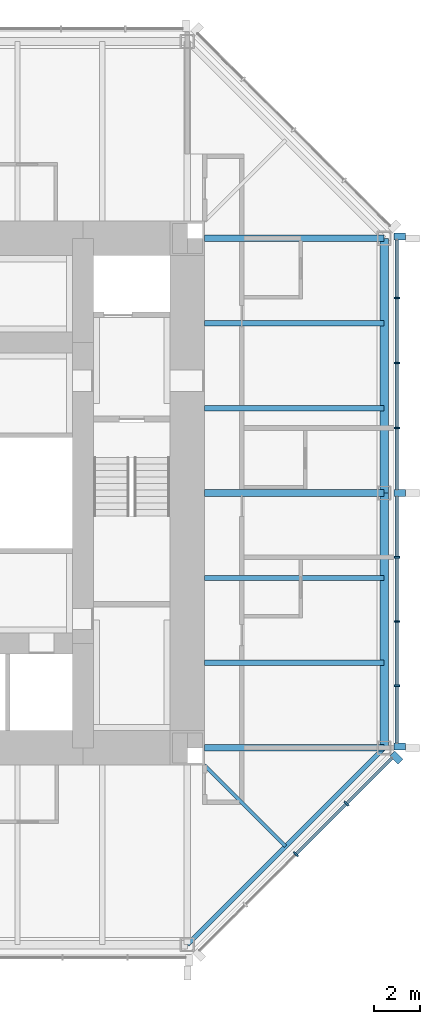
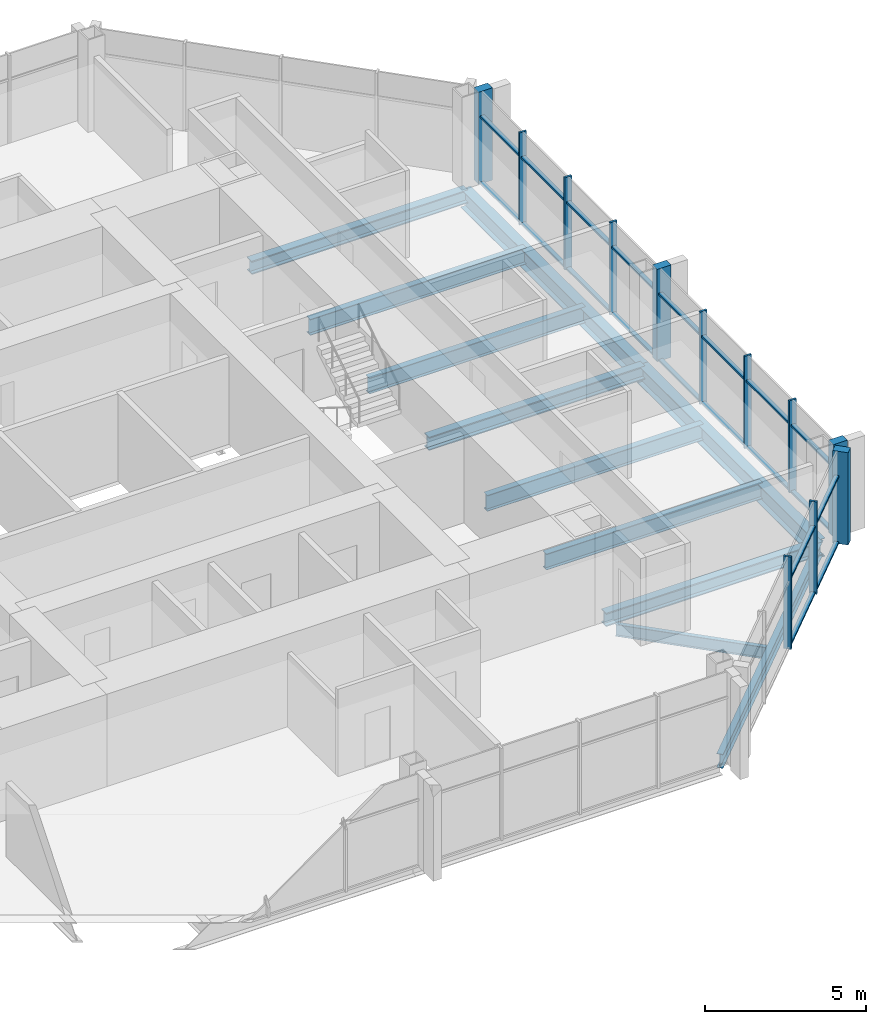
# One storey, part 4 of 11: 32 members, 11 beams, 2 elements without a shape of their own.
"""IFC4 building model written with IfcOpenShell, lengths in metres."""

from ifc_helpers import new_model, si_unit, direction, frame, origin, origin_2d, place, context, subcontext, project, spatial, rectangle, i_section, extrude, material, material_profile, profile_set, type_object, element, aggregate, save


model = new_model("IFC4")

# Units and contexts
model_context = context("Model", 3, precision=1e-05, world=origin(), true_north=direction((0.0, 1.0)))
body_context = subcontext(model_context, "Body", "Model", "MODEL_VIEW")
ifc_project = project(units=[si_unit("LENGTHUNIT", "METRE"), si_unit("AREAUNIT", "SQUARE_METRE"), si_unit("VOLUMEUNIT", "CUBIC_METRE"), si_unit("PLANEANGLEUNIT", "RADIAN"), si_unit("MASSUNIT", "GRAM", prefix="KILO")], contexts=[model_context])

# Site, building, storey
site_placement = place(None, origin())
site = spatial("IfcSite", under=ifc_project, at=site_placement, CompositionType="ELEMENT")
building_placement = place(site_placement, origin())
building = spatial("IfcBuilding", under=site, at=building_placement, Name="Trevanion Tower", CompositionType="ELEMENT")
storey_placement = place(building_placement, frame((0.0, 0.0, 246.699951171875)))
storey = spatial("IfcBuildingStorey", under=building, at=storey_placement, Name="L60", CompositionType="ELEMENT", Elevation=246.699951171875)

# Beams
ifc_material_1 = material(Name="Steel ASTM A992 Grade 50", Category="steel")
ifc_material_profile_1 = material_profile(ifc_material_1, i_section(OverallWidth=0.228271484375, OverallDepth=0.607177734375, WebThickness=0.01123046875, FlangeThickness=0.017333984375, at=origin_2d()), Name="W24X76")
ifc_profile_set_1 = profile_set([ifc_material_profile_1], Name="Steel ASTM A992 Grade 50")
beam_type_1 = type_object("IfcBeamType", Name="B11 W24X76", PredefinedType="BEAM", material=ifc_profile_set_1)
for number, where, z_axis, x_axis, name in (
    (1, (11.75, -7.333251953125, -0.493408203125), (1.0, 0.0, 0.0), (0.0, 1.0, 0.0), "B11 L60"),
    (2, (11.75, -3.666748046875, -0.493408203125), (1.0, 0.0, 0.0), (0.0, 1.0, 0.0), "B11 L60"),
    (3, (11.75, 3.666748046875, -0.493408203125), (1.0, 0.0, 0.0), (0.0, 1.0, 0.0), "B11 L60"),
    (4, (11.75, 7.333251953125, -0.493408203125), (1.0, 0.0, 0.0), (0.0, 1.0, 0.0), "B11 L60"),
):
    element("IfcBeam", number, at=place(storey_placement, frame(where, z_axis=z_axis, x_axis=x_axis)), inside=storey, type_object=beam_type_1, Name=name, PredefinedType="BEAM", context=body_context, shape_type="SweptSolid", body=[
        extrude(i_section(OverallWidth=0.228271484375, OverallDepth=0.607177734375, WebThickness=0.01123046875, FlangeThickness=0.017333984375, at=origin_2d()), origin(), (0.0, 0.0, 1.0), 7.75),
    ])
ifc_material_2 = material(Name="Steel ASTM A992 Grade 50", Category="steel")
ifc_material_profile_2 = material_profile(ifc_material_2, i_section(OverallWidth=0.15234375, OverallDepth=0.449462890625, WebThickness=0.007568359375, FlangeThickness=0.0107421875, at=origin_2d()), Name="W18X35")
ifc_profile_set_2 = profile_set([ifc_material_profile_2], Name="Steel ASTM A992 Grade 50")
beam_type_2 = type_object("IfcBeamType", Name="B12 W18X35", PredefinedType="BEAM", material=ifc_profile_set_2)
beam_1_placement = place(storey_placement, frame((11.75, -11.75, -0.414794921875), z_axis=(0.707106781187, -0.707106781187, 0.0), x_axis=(0.707106781187, 0.707106781187, 0.0)))
element("IfcBeam", 5, at=beam_1_placement, inside=storey, type_object=beam_type_2, Name="B12 L60", PredefinedType="BEAM", context=body_context, shape_type="SweptSolid", body=[
    extrude(i_section(OverallWidth=0.15234375, OverallDepth=0.449462890625, WebThickness=0.007568359375, FlangeThickness=0.0107421875, at=origin_2d()), origin(), (0.0, 0.0, 1.0), 4.94970703125),
])

# Curtain wall, members
ifc_material_3 = material(Name="Aluminium and glass", Category="aluminium")
curtain_wall_type = type_object("IfcCurtainWallType", Name="CW3 curtain wall", PredefinedType="USERDEFINED", material=ifc_material_3)
curtain_wall_1_placement = place(storey_placement, origin())
curtain_wall_1 = element("IfcCurtainWall", 6, at=curtain_wall_1_placement, inside=storey, type_object=curtain_wall_type, Name="CW3 L60 0", ObjectType="UNITISED CURTAIN WALL", PredefinedType="USERDEFINED")
ifc_material_4 = material(Name="Aluminium extrusion, anodised bronze", Category="aluminium")
ifc_material_profile_3 = material_profile(ifc_material_4, rectangle(XDim=0.074951171875, YDim=0.25, at=origin_2d()), Name="CW3 mullion")
ifc_profile_set_3 = profile_set([ifc_material_profile_3], Name="Aluminium extrusion, anodised bronze")
member_type_1 = type_object("IfcMemberType", Name="CW3 mullion", PredefinedType="MULLION", material=ifc_profile_set_3)
member_1_placement = place(storey_placement, frame((20.050048828125, -8.323486328125, -0.18994140625), z_axis=(0.0, 0.0, 1.0), x_axis=(0.0, 1.0, 0.0)))
member_1 = element("IfcMember", 7, at=member_1_placement, type_object=member_type_1, Name="CW3 mullion 2", PredefinedType="MULLION", context=body_context, shape_type="SweptSolid", body=[
    extrude(rectangle(XDim=0.074951171875, YDim=0.25, at=origin_2d()), origin(), (0.0, 0.0, 1.0), 3.5),
])
member_2_placement = place(storey_placement, frame((20.050048828125, -5.548828125, -0.18994140625), z_axis=(0.0, 0.0, 1.0), x_axis=(0.0, 1.0, 0.0)))
member_2 = element("IfcMember", 8, at=member_2_placement, type_object=member_type_1, Name="CW3 mullion 3", PredefinedType="MULLION", context=body_context, shape_type="SweptSolid", body=[
    extrude(rectangle(XDim=0.074951171875, YDim=0.25, at=origin_2d()), origin(), (0.0, 0.0, 1.0), 3.5),
])
member_3_placement = place(storey_placement, frame((20.050048828125, -2.7744140625, -0.18994140625), z_axis=(0.0, 0.0, 1.0), x_axis=(0.0, 1.0, 0.0)))
member_3 = element("IfcMember", 9, at=member_3_placement, type_object=member_type_1, Name="CW3 mullion 4", PredefinedType="MULLION", context=body_context, shape_type="SweptSolid", body=[
    extrude(rectangle(XDim=0.074951171875, YDim=0.25, at=origin_2d()), origin(), (0.0, 0.0, 1.0), 3.5),
])
member_4_placement = place(storey_placement, frame((20.050048828125, 2.806884765625, -0.18994140625), z_axis=(0.0, 0.0, 1.0), x_axis=(0.0, 1.0, 0.0)))
member_4 = element("IfcMember", 10, at=member_4_placement, type_object=member_type_1, Name="CW3 mullion 6", PredefinedType="MULLION", context=body_context, shape_type="SweptSolid", body=[
    extrude(rectangle(XDim=0.074951171875, YDim=0.25, at=origin_2d()), origin(), (0.0, 0.0, 1.0), 3.5),
])
member_5_placement = place(storey_placement, frame((20.050048828125, 5.614013671875, -0.18994140625), z_axis=(0.0, 0.0, 1.0), x_axis=(0.0, 1.0, 0.0)))
member_5 = element("IfcMember", 11, at=member_5_placement, type_object=member_type_1, Name="CW3 mullion 7", PredefinedType="MULLION", context=body_context, shape_type="SweptSolid", body=[
    extrude(rectangle(XDim=0.074951171875, YDim=0.25, at=origin_2d()), origin(), (0.0, 0.0, 1.0), 3.5),
])
member_6_placement = place(storey_placement, frame((20.050048828125, 8.4208984375, -0.18994140625), z_axis=(0.0, 0.0, 1.0), x_axis=(0.0, 1.0, 0.0)))
member_6 = element("IfcMember", 12, at=member_6_placement, type_object=member_type_1, Name="CW3 mullion 8", PredefinedType="MULLION", context=body_context, shape_type="SweptSolid", body=[
    extrude(rectangle(XDim=0.074951171875, YDim=0.25, at=origin_2d()), origin(), (0.0, 0.0, 1.0), 3.5),
])

curtain_wall_2_placement = place(storey_placement, origin())
curtain_wall_2 = element("IfcCurtainWall", 13, at=curtain_wall_2_placement, inside=storey, type_object=curtain_wall_type, Name="CW3 L60 7", ObjectType="UNITISED CURTAIN WALL", PredefinedType="USERDEFINED")
member_7_placement = place(storey_placement, frame((15.684814453125, -15.593017578125, -0.18994140625), z_axis=(0.0, 0.0, 1.0), x_axis=(0.707106781187, 0.707106781187, 0.0)))
member_7 = element("IfcMember", 14, at=member_7_placement, type_object=member_type_1, Name="CW3 mullion 3", PredefinedType="MULLION", context=body_context, shape_type="SweptSolid", body=[
    extrude(rectangle(XDim=0.074951171875, YDim=0.25, at=origin_2d()), origin(), (0.0, 0.0, 1.0), 3.5),
])
member_8_placement = place(storey_placement, frame((17.867431640625, -13.410400390625, -0.18994140625), z_axis=(0.0, 0.0, 1.0), x_axis=(0.707106781187, 0.707106781187, 0.0)))
member_8 = element("IfcMember", 15, at=member_8_placement, type_object=member_type_1, Name="CW3 mullion 4", PredefinedType="MULLION", context=body_context, shape_type="SweptSolid", body=[
    extrude(rectangle(XDim=0.074951171875, YDim=0.25, at=origin_2d()), origin(), (0.0, 0.0, 1.0), 3.5),
])

# Member
ifc_material_5 = material(Name="Aluminium extrusion, anodised bronze", Category="aluminium")
ifc_material_profile_4 = material_profile(ifc_material_5, rectangle(XDim=0.300048828125, YDim=0.5, at=origin_2d()), Name="CW3 pier mullion")
ifc_profile_set_4 = profile_set([ifc_material_profile_4], Name="Aluminium extrusion, anodised bronze")
member_type_2 = type_object("IfcMemberType", Name="CW3 pier mullion", PredefinedType="MULLION", material=ifc_profile_set_4)
member_9_placement = place(storey_placement, frame((20.175048828125, -10.94775390625, -0.18994140625), z_axis=(0.0, 0.0, 1.0), x_axis=(0.0, 1.0, 0.0)))
member_9 = element("IfcMember", 16, at=member_9_placement, type_object=member_type_2, Name="CW3 pier mullion 1", PredefinedType="MULLION", context=body_context, shape_type="SweptSolid", body=[
    extrude(rectangle(XDim=0.300048828125, YDim=0.5, at=origin_2d()), origin(), (0.0, 0.0, 1.0), 3.5),
])

member_10_placement = place(storey_placement, frame((20.175048828125, 0.0, -0.18994140625), z_axis=(0.0, 0.0, 1.0), x_axis=(0.0, 1.0, 0.0)))
member_10 = element("IfcMember", 17, at=member_10_placement, type_object=member_type_2, Name="CW3 pier mullion 5", PredefinedType="MULLION", context=body_context, shape_type="SweptSolid", body=[
    extrude(rectangle(XDim=0.300048828125, YDim=0.5, at=origin_2d()), origin(), (0.0, 0.0, 1.0), 3.5),
])

member_11_placement = place(storey_placement, frame((20.175048828125, 11.077880859375, -0.18994140625), z_axis=(0.0, 0.0, 1.0), x_axis=(0.0, 1.0, 0.0)))
member_11 = element("IfcMember", 18, at=member_11_placement, type_object=member_type_2, Name="CW3 pier mullion 9", PredefinedType="MULLION", context=body_context, shape_type="SweptSolid", body=[
    extrude(rectangle(XDim=0.300048828125, YDim=0.5, at=origin_2d()), origin(), (0.0, 0.0, 1.0), 3.5),
])

member_12_placement = place(storey_placement, frame((20.0322265625, -11.42236328125, -0.18994140625), z_axis=(0.0, 0.0, 1.0), x_axis=(0.707106781187, 0.707106781187, 0.0)))
member_12 = element("IfcMember", 19, at=member_12_placement, type_object=member_type_2, Name="CW3 pier mullion 5", PredefinedType="MULLION", context=body_context, shape_type="SweptSolid", body=[
    extrude(rectangle(XDim=0.300048828125, YDim=0.5, at=origin_2d()), origin(), (0.0, 0.0, 1.0), 3.5),
])

ifc_material_6 = material(Name="Aluminium extrusion, anodised bronze", Category="aluminium")
ifc_material_profile_5 = material_profile(ifc_material_6, rectangle(XDim=0.14990234375, YDim=0.074951171875, at=origin_2d()), Name="CW3 transom")
ifc_profile_set_5 = profile_set([ifc_material_profile_5], Name="Aluminium extrusion, anodised bronze")
member_type_3 = type_object("IfcMemberType", Name="CW3 transom", PredefinedType="USERDEFINED", material=ifc_profile_set_5)
member_13_placement = place(storey_placement, frame((20.050048828125, -10.7978515625, -0.15234375), z_axis=(0.0, 1.0, 0.0), x_axis=(-1.0, 0.0, 0.0)))
member_13 = element("IfcMember", 20, at=member_13_placement, type_object=member_type_3, Name="CW3 transom 1.1", ObjectType="TRANSOM", PredefinedType="USERDEFINED", context=body_context, shape_type="SweptSolid", body=[
    extrude(rectangle(XDim=0.14990234375, YDim=0.074951171875, at=origin_2d()), origin(), (0.0, 0.0, 1.0), 2.43701171875),
])

member_14_placement = place(storey_placement, frame((20.050048828125, -10.7978515625, 2.360107421875), z_axis=(0.0, 1.0, 0.0), x_axis=(-1.0, 0.0, 0.0)))
member_14 = element("IfcMember", 21, at=member_14_placement, type_object=member_type_3, Name="CW3 transom 1.2", ObjectType="TRANSOM", PredefinedType="USERDEFINED", context=body_context, shape_type="SweptSolid", body=[
    extrude(rectangle(XDim=0.14990234375, YDim=0.074951171875, at=origin_2d()), origin(), (0.0, 0.0, 1.0), 2.43701171875),
])

member_15_placement = place(storey_placement, frame((20.050048828125, -8.285888671875, -0.15234375), z_axis=(0.0, 1.0, 0.0), x_axis=(-1.0, 0.0, 0.0)))
member_15 = element("IfcMember", 22, at=member_15_placement, type_object=member_type_3, Name="CW3 transom 2.1", ObjectType="TRANSOM", PredefinedType="USERDEFINED", context=body_context, shape_type="SweptSolid", body=[
    extrude(rectangle(XDim=0.14990234375, YDim=0.074951171875, at=origin_2d()), origin(), (0.0, 0.0, 1.0), 2.699462890625),
])

member_16_placement = place(storey_placement, frame((20.050048828125, -8.285888671875, 2.360107421875), z_axis=(0.0, 1.0, 0.0), x_axis=(-1.0, 0.0, 0.0)))
member_16 = element("IfcMember", 23, at=member_16_placement, type_object=member_type_3, Name="CW3 transom 2.2", ObjectType="TRANSOM", PredefinedType="USERDEFINED", context=body_context, shape_type="SweptSolid", body=[
    extrude(rectangle(XDim=0.14990234375, YDim=0.074951171875, at=origin_2d()), origin(), (0.0, 0.0, 1.0), 2.699462890625),
])

member_17_placement = place(storey_placement, frame((20.050048828125, -5.511474609375, -0.15234375), z_axis=(0.0, 1.0, 0.0), x_axis=(-1.0, 0.0, 0.0)))
member_17 = element("IfcMember", 24, at=member_17_placement, type_object=member_type_3, Name="CW3 transom 3.1", ObjectType="TRANSOM", PredefinedType="USERDEFINED", context=body_context, shape_type="SweptSolid", body=[
    extrude(rectangle(XDim=0.14990234375, YDim=0.074951171875, at=origin_2d()), origin(), (0.0, 0.0, 1.0), 2.699462890625),
])

member_18_placement = place(storey_placement, frame((20.050048828125, -5.511474609375, 2.360107421875), z_axis=(0.0, 1.0, 0.0), x_axis=(-1.0, 0.0, 0.0)))
member_18 = element("IfcMember", 25, at=member_18_placement, type_object=member_type_3, Name="CW3 transom 3.2", ObjectType="TRANSOM", PredefinedType="USERDEFINED", context=body_context, shape_type="SweptSolid", body=[
    extrude(rectangle(XDim=0.14990234375, YDim=0.074951171875, at=origin_2d()), origin(), (0.0, 0.0, 1.0), 2.699462890625),
])

member_19_placement = place(storey_placement, frame((20.050048828125, -2.737060546875, -0.15234375), z_axis=(0.0, 1.0, 0.0), x_axis=(-1.0, 0.0, 0.0)))
member_19 = element("IfcMember", 26, at=member_19_placement, type_object=member_type_3, Name="CW3 transom 4.1", ObjectType="TRANSOM", PredefinedType="USERDEFINED", context=body_context, shape_type="SweptSolid", body=[
    extrude(rectangle(XDim=0.14990234375, YDim=0.074951171875, at=origin_2d()), origin(), (0.0, 0.0, 1.0), 2.587158203125),
])

member_20_placement = place(storey_placement, frame((20.050048828125, -2.737060546875, 2.360107421875), z_axis=(0.0, 1.0, 0.0), x_axis=(-1.0, 0.0, 0.0)))
member_20 = element("IfcMember", 27, at=member_20_placement, type_object=member_type_3, Name="CW3 transom 4.2", ObjectType="TRANSOM", PredefinedType="USERDEFINED", context=body_context, shape_type="SweptSolid", body=[
    extrude(rectangle(XDim=0.14990234375, YDim=0.074951171875, at=origin_2d()), origin(), (0.0, 0.0, 1.0), 2.587158203125),
])

member_21_placement = place(storey_placement, frame((20.050048828125, 0.14990234375, -0.15234375), z_axis=(0.0, 1.0, 0.0), x_axis=(-1.0, 0.0, 0.0)))
member_21 = element("IfcMember", 28, at=member_21_placement, type_object=member_type_3, Name="CW3 transom 5.1", ObjectType="TRANSOM", PredefinedType="USERDEFINED", context=body_context, shape_type="SweptSolid", body=[
    extrude(rectangle(XDim=0.14990234375, YDim=0.074951171875, at=origin_2d()), origin(), (0.0, 0.0, 1.0), 2.619384765625),
])

member_22_placement = place(storey_placement, frame((20.050048828125, 0.14990234375, 2.360107421875), z_axis=(0.0, 1.0, 0.0), x_axis=(-1.0, 0.0, 0.0)))
member_22 = element("IfcMember", 29, at=member_22_placement, type_object=member_type_3, Name="CW3 transom 5.2", ObjectType="TRANSOM", PredefinedType="USERDEFINED", context=body_context, shape_type="SweptSolid", body=[
    extrude(rectangle(XDim=0.14990234375, YDim=0.074951171875, at=origin_2d()), origin(), (0.0, 0.0, 1.0), 2.619384765625),
])

member_23_placement = place(storey_placement, frame((20.050048828125, 2.844482421875, -0.15234375), z_axis=(0.0, 1.0, 0.0), x_axis=(-1.0, 0.0, 0.0)))
member_23 = element("IfcMember", 30, at=member_23_placement, type_object=member_type_3, Name="CW3 transom 6.1", ObjectType="TRANSOM", PredefinedType="USERDEFINED", context=body_context, shape_type="SweptSolid", body=[
    extrude(rectangle(XDim=0.14990234375, YDim=0.074951171875, at=origin_2d()), origin(), (0.0, 0.0, 1.0), 2.73193359375),
])

member_24_placement = place(storey_placement, frame((20.050048828125, 2.844482421875, 2.360107421875), z_axis=(0.0, 1.0, 0.0), x_axis=(-1.0, 0.0, 0.0)))
member_24 = element("IfcMember", 31, at=member_24_placement, type_object=member_type_3, Name="CW3 transom 6.2", ObjectType="TRANSOM", PredefinedType="USERDEFINED", context=body_context, shape_type="SweptSolid", body=[
    extrude(rectangle(XDim=0.14990234375, YDim=0.074951171875, at=origin_2d()), origin(), (0.0, 0.0, 1.0), 2.73193359375),
])

member_25_placement = place(storey_placement, frame((20.050048828125, 5.6513671875, -0.15234375), z_axis=(0.0, 1.0, 0.0), x_axis=(-1.0, 0.0, 0.0)))
member_25 = element("IfcMember", 32, at=member_25_placement, type_object=member_type_3, Name="CW3 transom 7.1", ObjectType="TRANSOM", PredefinedType="USERDEFINED", context=body_context, shape_type="SweptSolid", body=[
    extrude(rectangle(XDim=0.14990234375, YDim=0.074951171875, at=origin_2d()), origin(), (0.0, 0.0, 1.0), 2.73193359375),
])

member_26_placement = place(storey_placement, frame((20.050048828125, 5.6513671875, 2.360107421875), z_axis=(0.0, 1.0, 0.0), x_axis=(-1.0, 0.0, 0.0)))
member_26 = element("IfcMember", 33, at=member_26_placement, type_object=member_type_3, Name="CW3 transom 7.2", ObjectType="TRANSOM", PredefinedType="USERDEFINED", context=body_context, shape_type="SweptSolid", body=[
    extrude(rectangle(XDim=0.14990234375, YDim=0.074951171875, at=origin_2d()), origin(), (0.0, 0.0, 1.0), 2.73193359375),
])

member_27_placement = place(storey_placement, frame((20.050048828125, 8.45849609375, -0.15234375), z_axis=(0.0, 1.0, 0.0), x_axis=(-1.0, 0.0, 0.0)))
member_27 = element("IfcMember", 34, at=member_27_placement, type_object=member_type_3, Name="CW3 transom 8.1", ObjectType="TRANSOM", PredefinedType="USERDEFINED", context=body_context, shape_type="SweptSolid", body=[
    extrude(rectangle(XDim=0.14990234375, YDim=0.074951171875, at=origin_2d()), origin(), (0.0, 0.0, 1.0), 2.46923828125),
])

member_28_placement = place(storey_placement, frame((20.050048828125, 8.45849609375, 2.360107421875), z_axis=(0.0, 1.0, 0.0), x_axis=(-1.0, 0.0, 0.0)))
member_28 = element("IfcMember", 35, at=member_28_placement, type_object=member_type_3, Name="CW3 transom 8.2", ObjectType="TRANSOM", PredefinedType="USERDEFINED", context=body_context, shape_type="SweptSolid", body=[
    extrude(rectangle(XDim=0.14990234375, YDim=0.074951171875, at=origin_2d()), origin(), (0.0, 0.0, 1.0), 2.46923828125),
])

aggregate(curtain_wall_1, [member_9, member_1, member_2, member_3, member_10, member_4, member_5, member_6, member_11, member_13, member_14, member_15, member_16, member_17, member_18, member_19, member_20, member_21, member_22, member_23, member_24, member_25, member_26, member_27, member_28])

member_29_placement = place(storey_placement, frame((15.71142578125, -15.56640625, -0.15234375), z_axis=(0.707106781187, 0.707106781187, 0.0), x_axis=(-0.707106781187, 0.707106781187, 0.0)))
member_29 = element("IfcMember", 36, at=member_29_placement, type_object=member_type_3, Name="CW3 transom 3.1", ObjectType="TRANSOM", PredefinedType="USERDEFINED", context=body_context, shape_type="SweptSolid", body=[
    extrude(rectangle(XDim=0.14990234375, YDim=0.074951171875, at=origin_2d()), origin(), (0.0, 0.0, 1.0), 3.011474609375),
])

member_30_placement = place(storey_placement, frame((15.71142578125, -15.56640625, 2.360107421875), z_axis=(0.707106781187, 0.707106781187, 0.0), x_axis=(-0.707106781187, 0.707106781187, 0.0)))
member_30 = element("IfcMember", 37, at=member_30_placement, type_object=member_type_3, Name="CW3 transom 3.2", ObjectType="TRANSOM", PredefinedType="USERDEFINED", context=body_context, shape_type="SweptSolid", body=[
    extrude(rectangle(XDim=0.14990234375, YDim=0.074951171875, at=origin_2d()), origin(), (0.0, 0.0, 1.0), 3.011474609375),
])

member_31_placement = place(storey_placement, frame((17.89404296875, -13.3837890625, -0.15234375), z_axis=(0.707106781187, 0.707106781187, 0.0), x_axis=(-0.707106781187, 0.707106781187, 0.0)))
member_31 = element("IfcMember", 38, at=member_31_placement, type_object=member_type_3, Name="CW3 transom 4.1", ObjectType="TRANSOM", PredefinedType="USERDEFINED", context=body_context, shape_type="SweptSolid", body=[
    extrude(rectangle(XDim=0.14990234375, YDim=0.074951171875, at=origin_2d()), origin(), (0.0, 0.0, 1.0), 2.7490234375),
])

member_32_placement = place(storey_placement, frame((17.89404296875, -13.3837890625, 2.360107421875), z_axis=(0.707106781187, 0.707106781187, 0.0), x_axis=(-0.707106781187, 0.707106781187, 0.0)))
member_32 = element("IfcMember", 39, at=member_32_placement, type_object=member_type_3, Name="CW3 transom 4.2", ObjectType="TRANSOM", PredefinedType="USERDEFINED", context=body_context, shape_type="SweptSolid", body=[
    extrude(rectangle(XDim=0.14990234375, YDim=0.074951171875, at=origin_2d()), origin(), (0.0, 0.0, 1.0), 2.7490234375),
])

aggregate(curtain_wall_2, [member_7, member_8, member_12, member_29, member_30, member_31, member_32])

# Beams
ifc_material_7 = material(Name="Steel ASTM A992 Grade 50", Category="steel")
ifc_material_profile_6 = material_profile(ifc_material_7, i_section(OverallWidth=0.28955078125, OverallDepth=0.508056640625, WebThickness=0.022705078125, FlangeThickness=0.040283203125, at=origin_2d()), Name="W18X175")
ifc_profile_set_6 = profile_set([ifc_material_profile_6], Name="Steel ASTM A992 Grade 50")
beam_type_3 = type_object("IfcBeamType", Name="G6 W18X175", PredefinedType="BEAM", material=ifc_profile_set_6)
for number, where, z_axis, x_axis, name in (
    (40, (11.75, -11.0, -0.44384765625), (1.0, 0.0, 0.0), (0.0, 1.0, 0.0), "G6 L60"),
    (41, (11.75, 0.0, -0.44384765625), (1.0, 0.0, 0.0), (0.0, 1.0, 0.0), "G6 L60"),
    (42, (11.75, 11.0, -0.44384765625), (1.0, 0.0, 0.0), (0.0, 1.0, 0.0), "G6 L60"),
):
    element("IfcBeam", number, at=place(storey_placement, frame(where, z_axis=z_axis, x_axis=x_axis)), inside=storey, type_object=beam_type_3, Name=name, PredefinedType="BEAM", context=body_context, shape_type="SweptSolid", body=[
        extrude(i_section(OverallWidth=0.28955078125, OverallDepth=0.508056640625, WebThickness=0.022705078125, FlangeThickness=0.040283203125, at=origin_2d()), origin(), (0.0, 0.0, 1.0), 7.75),
    ])
ifc_material_8 = material(Name="Steel ASTM A992 Grade 50", Category="steel")
ifc_material_profile_7 = material_profile(ifc_material_8, i_section(OverallWidth=0.355712890625, OverallDepth=0.696044921875, WebThickness=0.015380859375, FlangeThickness=0.024658203125, at=origin_2d()), Name="W27X146")
ifc_profile_set_7 = profile_set([ifc_material_profile_7], Name="Steel ASTM A992 Grade 50")
beam_type_4 = type_object("IfcBeamType", Name="SB8 W27X146", PredefinedType="SPANDREL", material=ifc_profile_set_7)
for number, where, z_axis, x_axis, name in (
    (43, (19.5, -11.0, -0.537841796875), (0.0, 1.0, 0.0), (-1.0, 0.0, 0.0), "SB8 L60"),
    (44, (19.5, 0.0, -0.537841796875), (0.0, 1.0, 0.0), (-1.0, 0.0, 0.0), "SB8 L60"),
):
    element("IfcBeam", number, at=place(storey_placement, frame(where, z_axis=z_axis, x_axis=x_axis)), inside=storey, type_object=beam_type_4, Name=name, PredefinedType="SPANDREL", context=body_context, shape_type="SweptSolid", body=[
        extrude(i_section(OverallWidth=0.355712890625, OverallDepth=0.696044921875, WebThickness=0.015380859375, FlangeThickness=0.024658203125, at=origin_2d()), origin(), (0.0, 0.0, 1.0), 11.0),
    ])
ifc_material_9 = material(Name="Steel ASTM A992 Grade 50", Category="steel")
ifc_material_profile_8 = material_profile(ifc_material_9, i_section(OverallWidth=0.209228515625, OverallDepth=0.533447265625, WebThickness=0.01025390625, FlangeThickness=0.015625, at=origin_2d()), Name="W21X62")
ifc_profile_set_8 = profile_set([ifc_material_profile_8], Name="Steel ASTM A992 Grade 50")
beam_type_5 = type_object("IfcBeamType", Name="SB9 W21X62", PredefinedType="SPANDREL", material=ifc_profile_set_8)
beam_2_placement = place(storey_placement, frame((11.0, -19.5, -0.45654296875), z_axis=(0.707106781187, 0.707106781187, 0.0), x_axis=(-0.707106781187, 0.707106781187, 0.0)))
element("IfcBeam", 45, at=beam_2_placement, inside=storey, type_object=beam_type_5, Name="SB9 L60", PredefinedType="SPANDREL", context=body_context, shape_type="SweptSolid", body=[
    extrude(i_section(OverallWidth=0.209228515625, OverallDepth=0.533447265625, WebThickness=0.01025390625, FlangeThickness=0.015625, at=origin_2d()), origin(), (0.0, 0.0, 1.0), 12.020751953125),
])

save(model, "model.ifc")
